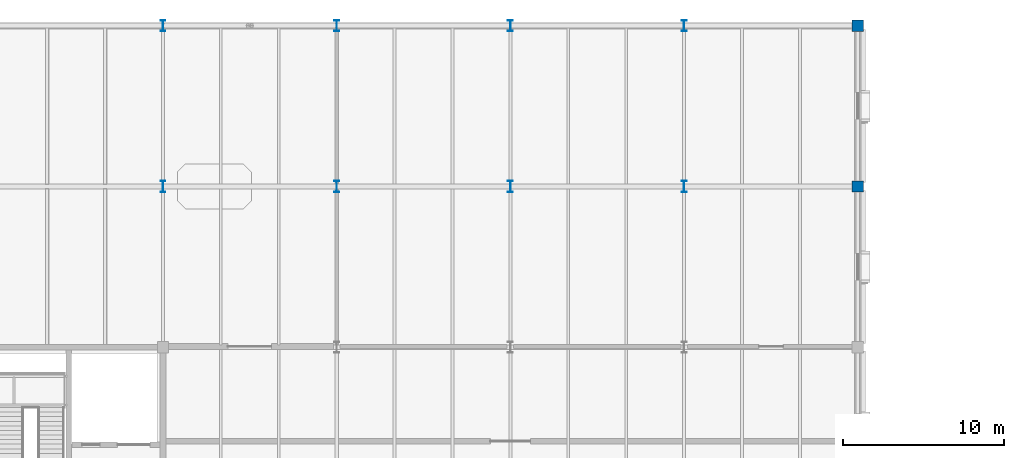
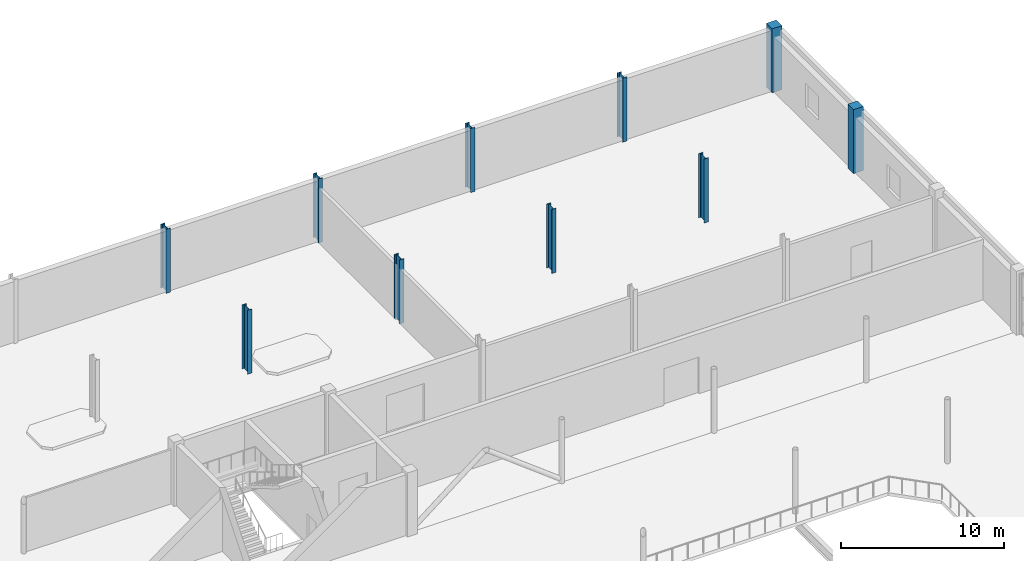
# One storey, part 14 of 92: 10 columns.
"""IFC4 building model written with IfcOpenShell, lengths in metres."""

from ifc_helpers import new_model, si_unit, direction, frame, origin, origin_2d, place, context, subcontext, project, spatial, rectangle, i_section, extrude, material, material_profile, profile_set, type_object, element, save


model = new_model("IFC4")

# Units and contexts
model_context = context("Model", 3, precision=1e-05, world=origin(), true_north=direction((0.0, 1.0)))
body_context = subcontext(model_context, "Body", "Model", "MODEL_VIEW")
ifc_project = project(units=[si_unit("LENGTHUNIT", "METRE"), si_unit("AREAUNIT", "SQUARE_METRE"), si_unit("VOLUMEUNIT", "CUBIC_METRE"), si_unit("PLANEANGLEUNIT", "RADIAN"), si_unit("MASSUNIT", "GRAM", prefix="KILO")], contexts=[model_context])

# Site, building, storey
site_placement = place(None, origin())
site = spatial("IfcSite", under=ifc_project, at=site_placement, CompositionType="ELEMENT")
building_placement = place(site_placement, origin())
building = spatial("IfcBuilding", under=site, at=building_placement, Name="Tasgan Crest Museum", CompositionType="ELEMENT")
storey_placement = place(building_placement, frame((0.0, 0.0, 4.800048828125)))
storey = spatial("IfcBuildingStorey", under=building, at=storey_placement, Name="L01", CompositionType="ELEMENT", Elevation=4.800048828125)

# Columns
ifc_material_1 = material(Name="Steel S355K2", Category="steel")
ifc_material_profile_1 = material_profile(ifc_material_1, i_section(OverallWidth=0.300048828125, OverallDepth=0.68994140625, WebThickness=0.014404296875, FlangeThickness=0.027099609375, FilletRadius=0.027099609375, at=origin_2d()), Name="HEA 700")
ifc_profile_set_1 = profile_set([ifc_material_profile_1], Name="Steel S355K2")
column_type_1 = type_object("IfcColumnType", Name="COL-HEA700", PredefinedType="COLUMN", material=ifc_profile_set_1)
for number, where, z_axis, x_axis, name in (
    (1, (64.800048828125, 102.0, 0.0), (0.0, 0.0, 1.0), (1.0, 0.0, 0.0), "Column 7/L L01"),
    (2, (64.800048828125, 112.0, 0.0), (0.0, 0.0, 1.0), (1.0, 0.0, 0.0), "Column 7/M L01"),
    (3, (75.60009765625, 102.0, 0.0), (0.0, 0.0, 1.0), (1.0, 0.0, 0.0), "Column 8/L L01"),
    (4, (75.60009765625, 112.0, 0.0), (0.0, 0.0, 1.0), (1.0, 0.0, 0.0), "Column 8/M L01"),
    (5, (86.39990234375, 102.0, 0.0), (0.0, 0.0, 1.0), (1.0, 0.0, 0.0), "Column 9/L L01"),
    (6, (86.39990234375, 112.0, 0.0), (0.0, 0.0, 1.0), (1.0, 0.0, 0.0), "Column 9/M L01"),
    (7, (97.199951171875, 102.0, 0.0), (0.0, 0.0, 1.0), (1.0, 0.0, 0.0), "Column 10/L L01"),
    (8, (97.199951171875, 112.0, 0.0), (0.0, 0.0, 1.0), (1.0, 0.0, 0.0), "Column 10/M L01"),
):
    element("IfcColumn", number, at=place(storey_placement, frame(where, z_axis=z_axis, x_axis=x_axis)), inside=storey, type_object=column_type_1, Name=name, PredefinedType="COLUMN", context=body_context, shape_type="SweptSolid", body=[
        extrude(i_section(OverallWidth=0.300048828125, OverallDepth=0.68994140625, WebThickness=0.014404296875, FlangeThickness=0.027099609375, FilletRadius=0.027099609375, at=origin_2d()), origin(), (0.0, 0.0, 1.0), 4.800048828125),
    ])
ifc_material_2 = material(Name="Concrete C40/50", Category="concrete")
ifc_material_profile_2 = material_profile(ifc_material_2, rectangle(XDim=0.699951171875, YDim=0.699951171875, at=origin_2d()), Name="RC 700x700")
ifc_profile_set_2 = profile_set([ifc_material_profile_2], Name="Concrete C40/50")
column_type_2 = type_object("IfcColumnType", Name="COL-RC700", PredefinedType="COLUMN", material=ifc_profile_set_2)
for number, where, z_axis, x_axis, name in (
    (9, (108.0, 102.0, 0.0), (0.0, 0.0, 1.0), (1.0, 0.0, 0.0), "Column 11/L L01"),
    (10, (108.0, 112.0, 0.0), (0.0, 0.0, 1.0), (1.0, 0.0, 0.0), "Column 11/M L01"),
):
    element("IfcColumn", number, at=place(storey_placement, frame(where, z_axis=z_axis, x_axis=x_axis)), inside=storey, type_object=column_type_2, Name=name, PredefinedType="COLUMN", context=body_context, shape_type="SweptSolid", body=[
        extrude(rectangle(XDim=0.699951171875, YDim=0.699951171875, at=origin_2d()), origin(), (0.0, 0.0, 1.0), 4.800048828125),
    ])

save(model, "model.ifc")
